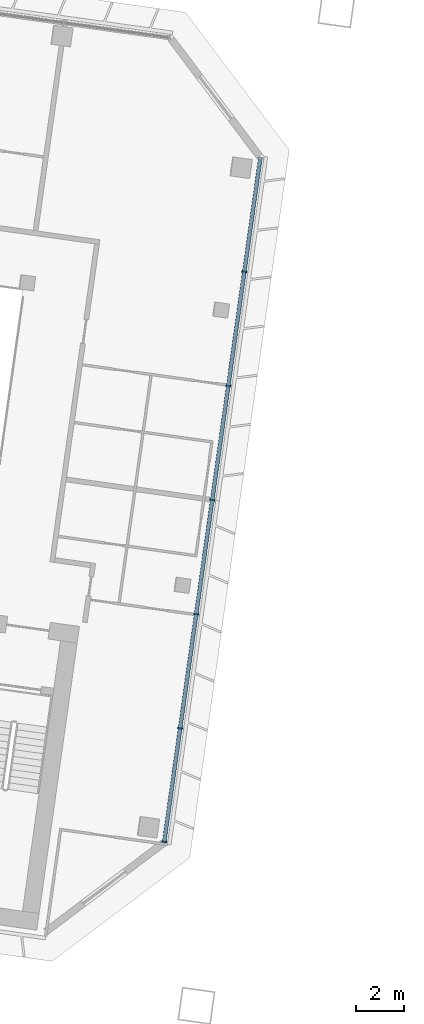
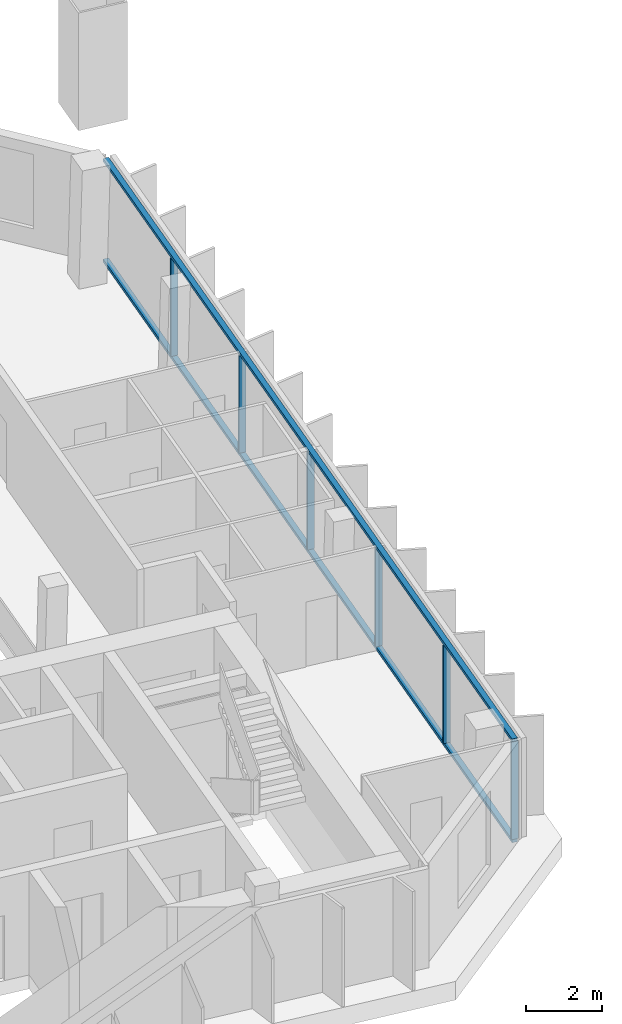
# One storey, part 6 of 28: 8 members, 1 element without a shape of its own.
"""IFC4 building model written with IfcOpenShell, lengths in metres."""

from ifc_helpers import new_model, si_unit, direction, frame, origin, origin_2d, place, context, subcontext, project, spatial, rectangle, extrude, material, material_profile, profile_set, type_object, element, aggregate, save


model = new_model("IFC4")

# Units and contexts
model_context = context("Model", 3, precision=1e-05, world=origin(), true_north=direction((0.0, 1.0)))
body_context = subcontext(model_context, "Body", "Model", "MODEL_VIEW")
ifc_project = project(units=[si_unit("LENGTHUNIT", "METRE"), si_unit("AREAUNIT", "SQUARE_METRE"), si_unit("VOLUMEUNIT", "CUBIC_METRE"), si_unit("PLANEANGLEUNIT", "RADIAN"), si_unit("MASSUNIT", "GRAM", prefix="KILO")], contexts=[model_context])

# Site, building, storey
site_placement = place(None, origin())
site = spatial("IfcSite", under=ifc_project, at=site_placement, CompositionType="ELEMENT")
building_placement = place(site_placement, origin())
building = spatial("IfcBuilding", under=site, at=building_placement, Name="Mirante Cascada Hotel Towers", CompositionType="ELEMENT")
storey_placement = place(building_placement, frame((0.0, 0.0, 165.0)))
storey = spatial("IfcBuildingStorey", under=building, at=storey_placement, Name="L38", CompositionType="ELEMENT", Elevation=165.0)

# Curtain wall, members
ifc_material_1 = material(Name="Aluminium mullion and transom frame with clear laminated glass", Category="aluminium")
curtain_wall_type = type_object("IfcCurtainWallType", Name="End ribbon curtain wall ECW2", PredefinedType="NOTDEFINED", material=ifc_material_1)
curtain_wall_placement = place(storey_placement, origin())
curtain_wall = element("IfcCurtainWall", 1, at=curtain_wall_placement, inside=storey, type_object=curtain_wall_type, Name="Inner end wall T1 L38", PredefinedType="NOTDEFINED")
ifc_material_2 = material(Name="Anodised aluminium extrusion", Category="aluminium")
ifc_material_profile_1 = material_profile(ifc_material_2, rectangle(XDim=0.2, YDim=0.065, at=origin_2d()), Name="ECW2 MULLION 65x200")
ifc_profile_set_1 = profile_set([ifc_material_profile_1], Name="Anodised aluminium extrusion")
member_type_1 = type_object("IfcMemberType", Name="ECW2 mullion 65x200", PredefinedType="MULLION", material=ifc_profile_set_1)
member_1_placement = place(storey_placement, frame((-28.6081, 7.5242, 0.1), z_axis=(0.0, 0.0, 1.0), x_axis=(0.9902681, -0.1391731, 0.0)))
member_1 = element("IfcMember", 2, at=member_1_placement, type_object=member_type_1, Name="ECW2 mullion 2", PredefinedType="MULLION", context=body_context, shape_type="SweptSolid", body=[
    extrude(rectangle(XDim=0.2, YDim=0.065, at=origin_2d()), origin(), (0.0, 0.0, 1.0), 3.15),
])
member_2_placement = place(storey_placement, frame((-29.2779, 2.7584, 0.1), z_axis=(0.0, 0.0, 1.0), x_axis=(0.9902681, -0.1391731, 0.0)))
member_2 = element("IfcMember", 3, at=member_2_placement, type_object=member_type_1, Name="ECW2 mullion 3", PredefinedType="MULLION", context=body_context, shape_type="SweptSolid", body=[
    extrude(rectangle(XDim=0.2, YDim=0.065, at=origin_2d()), origin(), (0.0, 0.0, 1.0), 3.15),
])
member_3_placement = place(storey_placement, frame((-29.9477, -2.0074, 0.1), z_axis=(0.0, 0.0, 1.0), x_axis=(0.9902681, -0.1391731, 0.0)))
member_3 = element("IfcMember", 4, at=member_3_placement, type_object=member_type_1, Name="ECW2 mullion 4", PredefinedType="MULLION", context=body_context, shape_type="SweptSolid", body=[
    extrude(rectangle(XDim=0.2, YDim=0.065, at=origin_2d()), origin(), (0.0, 0.0, 1.0), 3.15),
])
member_4_placement = place(storey_placement, frame((-30.6175, -6.7731, 0.1), z_axis=(0.0, 0.0, 1.0), x_axis=(0.9902681, -0.1391731, 0.0)))
member_4 = element("IfcMember", 5, at=member_4_placement, type_object=member_type_1, Name="ECW2 mullion 5", PredefinedType="MULLION", context=body_context, shape_type="SweptSolid", body=[
    extrude(rectangle(XDim=0.2, YDim=0.065, at=origin_2d()), origin(), (0.0, 0.0, 1.0), 3.15),
])
member_5_placement = place(storey_placement, frame((-31.2873, -11.5389, 0.1), z_axis=(0.0, 0.0, 1.0), x_axis=(0.9902681, -0.1391731, 0.0)))
member_5 = element("IfcMember", 6, at=member_5_placement, type_object=member_type_1, Name="ECW2 mullion 6", PredefinedType="MULLION", context=body_context, shape_type="SweptSolid", body=[
    extrude(rectangle(XDim=0.2, YDim=0.065, at=origin_2d()), origin(), (0.0, 0.0, 1.0), 3.15),
])
member_6_placement = place(storey_placement, frame((-31.9525, -16.2725, 0.1), z_axis=(0.0, 0.0, 1.0), x_axis=(0.9902681, -0.1391731, 0.0)))
member_6 = element("IfcMember", 7, at=member_6_placement, type_object=member_type_1, Name="ECW2 mullion 7", PredefinedType="MULLION", context=body_context, shape_type="SweptSolid", body=[
    extrude(rectangle(XDim=0.2, YDim=0.065, at=origin_2d()), origin(), (0.0, 0.0, 1.0), 3.15),
])
ifc_material_3 = material(Name="Anodised aluminium extrusion", Category="aluminium")
ifc_material_profile_2 = material_profile(ifc_material_3, rectangle(XDim=0.16, YDim=0.1, at=origin_2d()), Name="ECW2 TRANSOM 100x160")
ifc_profile_set_2 = profile_set([ifc_material_profile_2], Name="Anodised aluminium extrusion")
member_type_2 = type_object("IfcMemberType", Name="ECW2 transom 100x160", PredefinedType="USERDEFINED", material=ifc_profile_set_2)
member_7_placement = place(storey_placement, frame((-27.9383, 12.29, 0.05), z_axis=(-0.1391723, -0.9902682, 0.0), x_axis=(0.9902682, -0.1391723, 0.0)))
member_7 = element("IfcMember", 8, at=member_7_placement, type_object=member_type_2, Name="ECW2 sill transom", ObjectType="TRANSOM", PredefinedType="USERDEFINED", context=body_context, shape_type="SweptSolid", body=[
    extrude(rectangle(XDim=0.16, YDim=0.1, at=origin_2d()), origin(), (0.0, 0.0, 1.0), 28.8757),
])
member_8_placement = place(storey_placement, frame((-27.9383, 12.29, 3.3), z_axis=(-0.1391723, -0.9902682, 0.0), x_axis=(0.9902682, -0.1391723, 0.0)))
member_8 = element("IfcMember", 9, at=member_8_placement, type_object=member_type_2, Name="ECW2 head transom", ObjectType="TRANSOM", PredefinedType="USERDEFINED", context=body_context, shape_type="SweptSolid", body=[
    extrude(rectangle(XDim=0.16, YDim=0.1, at=origin_2d()), origin(), (0.0, 0.0, 1.0), 28.8757),
])
aggregate(curtain_wall, [member_7, member_8, member_1, member_2, member_3, member_4, member_5, member_6])

save(model, "model.ifc")
